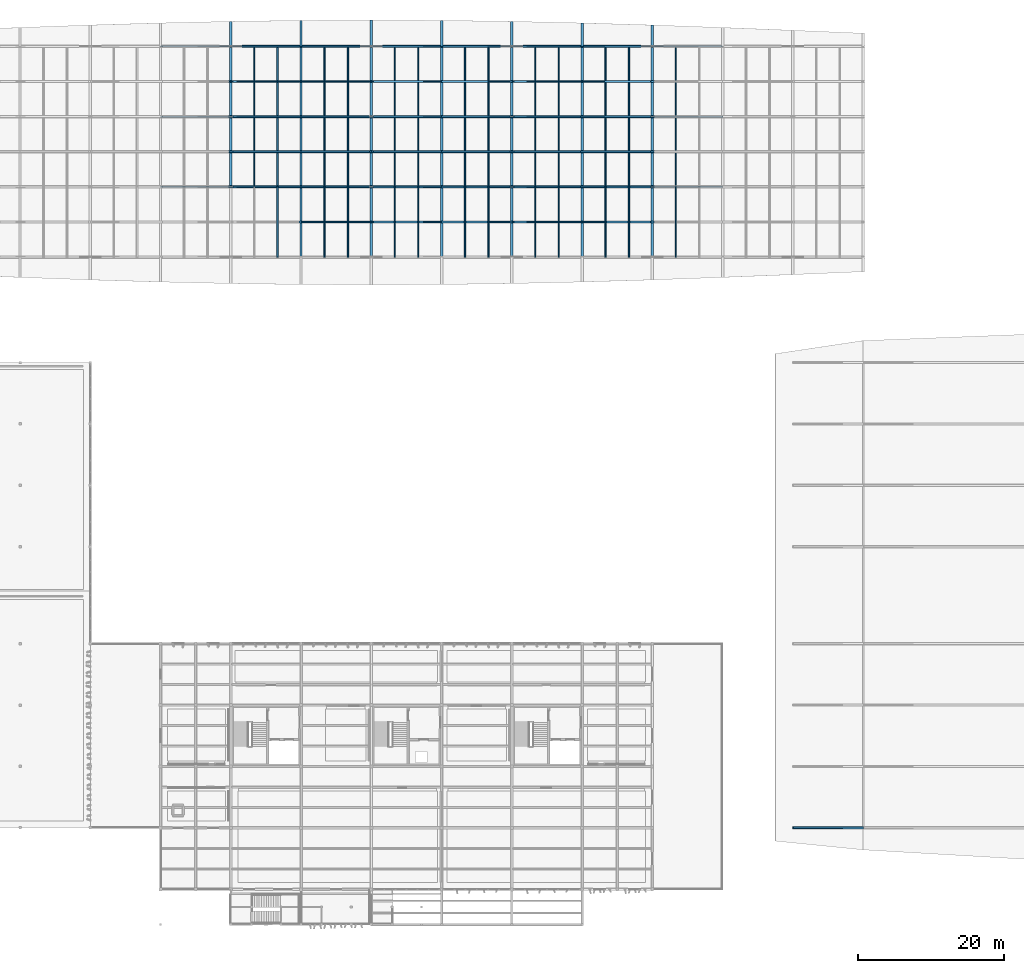
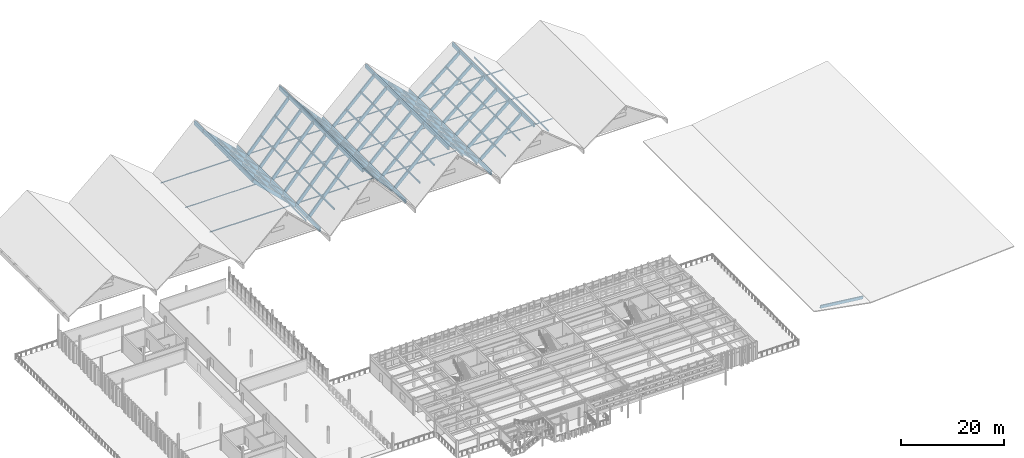
# One storey, part 16 of 42: 93 members.
"""IFC4 building model written with IfcOpenShell, lengths in metres."""

from ifc_helpers import new_model, si_unit, direction, frame, origin, origin_2d, place, context, subcontext, project, spatial, rectangle, hollow_circle, extrude, material, material_profile, profile_set, type_object, element, save


model = new_model("IFC4")

# Units and contexts
model_context = context("Model", 3, precision=1e-05, world=origin(), true_north=direction((0.0, 1.0)))
body_context = subcontext(model_context, "Body", "Model", "MODEL_VIEW")
ifc_project = project(units=[si_unit("LENGTHUNIT", "METRE"), si_unit("AREAUNIT", "SQUARE_METRE"), si_unit("VOLUMEUNIT", "CUBIC_METRE"), si_unit("PLANEANGLEUNIT", "RADIAN"), si_unit("MASSUNIT", "GRAM", prefix="KILO")], contexts=[model_context])

# Site, building, storey
site_placement = place(None, origin())
site = spatial("IfcSite", under=ifc_project, at=site_placement, CompositionType="ELEMENT")
building_placement = place(site_placement, origin())
building = spatial("IfcBuilding", under=site, at=building_placement, Name="Kolvemor Railside Polytechnic", CompositionType="ELEMENT")
storey_placement = place(building_placement, frame((0.0, 0.0, 14.39990234375)))
storey = spatial("IfcBuildingStorey", under=building, at=storey_placement, Name="L03", CompositionType="ELEMENT", Elevation=14.39990234375)

# Members
ifc_material_1 = material(Name="Glulam GL28h", Category="wood")
ifc_material_profile_1 = material_profile(ifc_material_1, rectangle(XDim=0.31494140625, YDim=0.89990234375, at=origin_2d()), Name="GL315x900")
ifc_profile_set_1 = profile_set([ifc_material_profile_1], Name="Glulam GL28h")
member_type_1 = type_object("IfcMemberType", Name="MEM-FP-CHORD", PredefinedType="CHORD", material=ifc_profile_set_1)
member_1_placement = place(storey_placement, frame((76.800048828125, 91.199951171875, -4.96875), z_axis=(0.0, 1.0, 0.0), x_axis=(-1.0, 0.0, 0.0)))
element("IfcMember", 1, at=member_1_placement, inside=storey, type_object=member_type_1, Name="Folded-Plate Valley Chord CH-V4-2", PredefinedType="CHORD", context=body_context, shape_type="SweptSolid", body=[
    extrude(rectangle(XDim=0.31494140625, YDim=0.89990234375, at=origin_2d()), origin(), (0.0, 0.0, 1.0), 9.60009765625),
])
member_2_placement = place(storey_placement, frame((76.800048828125, 100.800048828125, -4.96875), z_axis=(0.0, 1.0, 0.0), x_axis=(-1.0, 0.0, 0.0)))
element("IfcMember", 2, at=member_2_placement, inside=storey, type_object=member_type_1, Name="Folded-Plate Valley Chord CH-V4-3", PredefinedType="CHORD", context=body_context, shape_type="SweptSolid", body=[
    extrude(rectangle(XDim=0.31494140625, YDim=0.89990234375, at=origin_2d()), origin(), (0.0, 0.0, 1.0), 19.199951171875),
])
member_3_placement = place(storey_placement, frame((76.800048828125, 120.0, -4.96875), z_axis=(0.0, 1.0, 0.0), x_axis=(-1.0, 0.0, 0.0)))
element("IfcMember", 3, at=member_3_placement, inside=storey, type_object=member_type_1, Name="Folded-Plate Valley Chord CH-V4-4", PredefinedType="CHORD", context=body_context, shape_type="SweptSolid", body=[
    extrude(rectangle(XDim=0.31494140625, YDim=0.89990234375, at=origin_2d()), origin(), (0.0, 0.0, 1.0), 3.554931640625),
])
member_4_placement = place(storey_placement, frame((96.0, 91.199951171875, -4.96875), z_axis=(0.0, 1.0, 0.0), x_axis=(-1.0, 0.0, 0.0)))
element("IfcMember", 4, at=member_4_placement, inside=storey, type_object=member_type_1, Name="Folded-Plate Valley Chord CH-V5-2", PredefinedType="CHORD", context=body_context, shape_type="SweptSolid", body=[
    extrude(rectangle(XDim=0.31494140625, YDim=0.89990234375, at=origin_2d()), origin(), (0.0, 0.0, 1.0), 9.60009765625),
])
member_5_placement = place(storey_placement, frame((96.0, 100.800048828125, -4.96875), z_axis=(0.0, 1.0, 0.0), x_axis=(-1.0, 0.0, 0.0)))
element("IfcMember", 5, at=member_5_placement, inside=storey, type_object=member_type_1, Name="Folded-Plate Valley Chord CH-V5-3", PredefinedType="CHORD", context=body_context, shape_type="SweptSolid", body=[
    extrude(rectangle(XDim=0.31494140625, YDim=0.89990234375, at=origin_2d()), origin(), (0.0, 0.0, 1.0), 19.199951171875),
])
member_6_placement = place(storey_placement, frame((96.0, 120.0, -4.96875), z_axis=(0.0, 1.0, 0.0), x_axis=(-1.0, 0.0, 0.0)))
element("IfcMember", 6, at=member_6_placement, inside=storey, type_object=member_type_1, Name="Folded-Plate Valley Chord CH-V5-4", PredefinedType="CHORD", context=body_context, shape_type="SweptSolid", body=[
    extrude(rectangle(XDim=0.31494140625, YDim=0.89990234375, at=origin_2d()), origin(), (0.0, 0.0, 1.0), 3.554931640625),
])
member_7_placement = place(storey_placement, frame((115.199951171875, 91.199951171875, -4.96875), z_axis=(0.0, 1.0, 0.0), x_axis=(-1.0, 0.0, 0.0)))
element("IfcMember", 7, at=member_7_placement, inside=storey, type_object=member_type_1, Name="Folded-Plate Valley Chord CH-V6-2", PredefinedType="CHORD", context=body_context, shape_type="SweptSolid", body=[
    extrude(rectangle(XDim=0.31494140625, YDim=0.89990234375, at=origin_2d()), origin(), (0.0, 0.0, 1.0), 9.60009765625),
])
member_8_placement = place(storey_placement, frame((115.199951171875, 100.800048828125, -4.96875), z_axis=(0.0, 1.0, 0.0), x_axis=(-1.0, 0.0, 0.0)))
element("IfcMember", 8, at=member_8_placement, inside=storey, type_object=member_type_1, Name="Folded-Plate Valley Chord CH-V6-3", PredefinedType="CHORD", context=body_context, shape_type="SweptSolid", body=[
    extrude(rectangle(XDim=0.31494140625, YDim=0.89990234375, at=origin_2d()), origin(), (0.0, 0.0, 1.0), 19.199951171875),
])
member_9_placement = place(storey_placement, frame((115.199951171875, 120.0, -4.96875), z_axis=(0.0, 1.0, 0.0), x_axis=(-1.0, 0.0, 0.0)))
element("IfcMember", 9, at=member_9_placement, inside=storey, type_object=member_type_1, Name="Folded-Plate Valley Chord CH-V6-4", PredefinedType="CHORD", context=body_context, shape_type="SweptSolid", body=[
    extrude(rectangle(XDim=0.31494140625, YDim=0.89990234375, at=origin_2d()), origin(), (0.0, 0.0, 1.0), 3.20703125),
])
member_10_placement = place(storey_placement, frame((67.199951171875, 100.800048828125, 4.31591796875), z_axis=(0.0, 1.0, 0.0), x_axis=(-1.0, 0.0, 0.0)))
element("IfcMember", 10, at=member_10_placement, inside=storey, type_object=member_type_1, Name="Folded-Plate Ridge Chord CH-R3-3", PredefinedType="CHORD", context=body_context, shape_type="SweptSolid", body=[
    extrude(rectangle(XDim=0.31494140625, YDim=0.89990234375, at=origin_2d()), origin(), (0.0, 0.0, 1.0), 19.199951171875),
])
member_11_placement = place(storey_placement, frame((67.199951171875, 120.0, 4.31591796875), z_axis=(0.0, 1.0, 0.0), x_axis=(-1.0, 0.0, 0.0)))
element("IfcMember", 11, at=member_11_placement, inside=storey, type_object=member_type_1, Name="Folded-Plate Ridge Chord CH-R3-4", PredefinedType="CHORD", context=body_context, shape_type="SweptSolid", body=[
    extrude(rectangle(XDim=0.31494140625, YDim=0.89990234375, at=origin_2d()), origin(), (0.0, 0.0, 1.0), 3.422119140625),
])
member_12_placement = place(storey_placement, frame((86.39990234375, 91.199951171875, 5.788818359375), z_axis=(0.0, 1.0, 0.0), x_axis=(-1.0, 0.0, 0.0)))
element("IfcMember", 12, at=member_12_placement, inside=storey, type_object=member_type_1, Name="Folded-Plate Ridge Chord CH-R4-2", PredefinedType="CHORD", context=body_context, shape_type="SweptSolid", body=[
    extrude(rectangle(XDim=0.31494140625, YDim=0.89990234375, at=origin_2d()), origin(), (0.0, 0.0, 1.0), 9.60009765625),
])
member_13_placement = place(storey_placement, frame((86.39990234375, 100.800048828125, 5.788818359375), z_axis=(0.0, 1.0, 0.0), x_axis=(-1.0, 0.0, 0.0)))
element("IfcMember", 13, at=member_13_placement, inside=storey, type_object=member_type_1, Name="Folded-Plate Ridge Chord CH-R4-3", PredefinedType="CHORD", context=body_context, shape_type="SweptSolid", body=[
    extrude(rectangle(XDim=0.31494140625, YDim=0.89990234375, at=origin_2d()), origin(), (0.0, 0.0, 1.0), 19.199951171875),
])
member_14_placement = place(storey_placement, frame((86.39990234375, 120.0, 5.788818359375), z_axis=(0.0, 1.0, 0.0), x_axis=(-1.0, 0.0, 0.0)))
element("IfcMember", 14, at=member_14_placement, inside=storey, type_object=member_type_1, Name="Folded-Plate Ridge Chord CH-R4-4", PredefinedType="CHORD", context=body_context, shape_type="SweptSolid", body=[
    extrude(rectangle(XDim=0.31494140625, YDim=0.89990234375, at=origin_2d()), origin(), (0.0, 0.0, 1.0), 3.60009765625),
])
member_15_placement = place(storey_placement, frame((105.60009765625, 91.199951171875, 4.31591796875), z_axis=(0.0, 1.0, 0.0), x_axis=(-1.0, 0.0, 0.0)))
element("IfcMember", 15, at=member_15_placement, inside=storey, type_object=member_type_1, Name="Folded-Plate Ridge Chord CH-R5-2", PredefinedType="CHORD", context=body_context, shape_type="SweptSolid", body=[
    extrude(rectangle(XDim=0.31494140625, YDim=0.89990234375, at=origin_2d()), origin(), (0.0, 0.0, 1.0), 9.60009765625),
])
member_16_placement = place(storey_placement, frame((105.60009765625, 100.800048828125, 4.31591796875), z_axis=(0.0, 1.0, 0.0), x_axis=(-1.0, 0.0, 0.0)))
element("IfcMember", 16, at=member_16_placement, inside=storey, type_object=member_type_1, Name="Folded-Plate Ridge Chord CH-R5-3", PredefinedType="CHORD", context=body_context, shape_type="SweptSolid", body=[
    extrude(rectangle(XDim=0.31494140625, YDim=0.89990234375, at=origin_2d()), origin(), (0.0, 0.0, 1.0), 19.199951171875),
])
member_17_placement = place(storey_placement, frame((105.60009765625, 120.0, 4.31591796875), z_axis=(0.0, 1.0, 0.0), x_axis=(-1.0, 0.0, 0.0)))
element("IfcMember", 17, at=member_17_placement, inside=storey, type_object=member_type_1, Name="Folded-Plate Ridge Chord CH-R5-4", PredefinedType="CHORD", context=body_context, shape_type="SweptSolid", body=[
    extrude(rectangle(XDim=0.31494140625, YDim=0.89990234375, at=origin_2d()), origin(), (0.0, 0.0, 1.0), 3.422119140625),
])
member_18_placement = place(storey_placement, frame((124.800048828125, 91.199951171875, 3.03759765625), z_axis=(0.0, 1.0, 0.0), x_axis=(-1.0, 0.0, 0.0)))
element("IfcMember", 18, at=member_18_placement, inside=storey, type_object=member_type_1, Name="Folded-Plate Ridge Chord CH-R6-2", PredefinedType="CHORD", context=body_context, shape_type="SweptSolid", body=[
    extrude(rectangle(XDim=0.31494140625, YDim=0.89990234375, at=origin_2d()), origin(), (0.0, 0.0, 1.0), 9.60009765625),
])
member_19_placement = place(storey_placement, frame((124.800048828125, 100.800048828125, 3.03759765625), z_axis=(0.0, 1.0, 0.0), x_axis=(-1.0, 0.0, 0.0)))
element("IfcMember", 19, at=member_19_placement, inside=storey, type_object=member_type_1, Name="Folded-Plate Ridge Chord CH-R6-3", PredefinedType="CHORD", context=body_context, shape_type="SweptSolid", body=[
    extrude(rectangle(XDim=0.31494140625, YDim=0.89990234375, at=origin_2d()), origin(), (0.0, 0.0, 1.0), 19.199951171875),
])
member_20_placement = place(storey_placement, frame((124.800048828125, 120.0, 3.03759765625), z_axis=(0.0, 1.0, 0.0), x_axis=(-1.0, 0.0, 0.0)))
element("IfcMember", 20, at=member_20_placement, inside=storey, type_object=member_type_1, Name="Folded-Plate Ridge Chord CH-R6-4", PredefinedType="CHORD", context=body_context, shape_type="SweptSolid", body=[
    extrude(rectangle(XDim=0.31494140625, YDim=0.89990234375, at=origin_2d()), origin(), (0.0, 0.0, 1.0), 2.922119140625),
])
ifc_material_2 = material(Name="Glulam GL28h", Category="wood")
ifc_material_profile_2 = material_profile(ifc_material_2, rectangle(XDim=0.18505859375, YDim=0.360107421875, at=origin_2d()), Name="GL185x360")
ifc_profile_set_2 = profile_set([ifc_material_profile_2], Name="Glulam GL28h")
member_type_2 = type_object("IfcMemberType", Name="MEM-FP-PURLIN", PredefinedType="PURLIN", material=ifc_profile_set_2)
member_21_placement = place(storey_placement, frame((73.60009765625, 91.199951171875, -1.684814453125), z_axis=(0.0, 1.0, 0.0), x_axis=(-1.0, 0.0, 0.0)))
element("IfcMember", 21, at=member_21_placement, inside=storey, type_object=member_type_2, Name="Folded-Plate Purlin PR-E3-1", PredefinedType="PURLIN", context=body_context, shape_type="SweptSolid", body=[
    extrude(rectangle(XDim=0.18505859375, YDim=0.360107421875, at=origin_2d()), origin(), (0.0, 0.0, 1.0), 9.60009765625),
])
for number, where, z_axis, x_axis, name in (
    (22, (73.60009765625, 100.800048828125, -1.684814453125), (0.0, 1.0, 0.0), (-1.0, 0.0, 0.0), "Folded-Plate Purlin PR-E3-1"),
    (23, (70.39990234375, 100.800048828125, 1.415283203125), (0.0, 1.0, 0.0), (-1.0, 0.0, 0.0), "Folded-Plate Purlin PR-E3-2"),
):
    element("IfcMember", number, at=place(storey_placement, frame(where, z_axis=z_axis, x_axis=x_axis)), inside=storey, type_object=member_type_2, Name=name, PredefinedType="PURLIN", context=body_context, shape_type="SweptSolid", body=[
        extrude(rectangle(XDim=0.18505859375, YDim=0.360107421875, at=origin_2d()), origin(), (0.0, 0.0, 1.0), 19.199951171875),
    ])
for number, where, z_axis, x_axis, name in (
    (24, (80.0, 91.199951171875, -1.232177734375), (0.0, 1.0, 0.0), (-1.0, 0.0, 0.0), "Folded-Plate Purlin PR-W4-1"),
    (25, (92.800048828125, 91.199951171875, -1.232177734375), (0.0, 1.0, 0.0), (-1.0, 0.0, 0.0), "Folded-Plate Purlin PR-E4-1"),
):
    element("IfcMember", number, at=place(storey_placement, frame(where, z_axis=z_axis, x_axis=x_axis)), inside=storey, type_object=member_type_2, Name=name, PredefinedType="PURLIN", context=body_context, shape_type="SweptSolid", body=[
        extrude(rectangle(XDim=0.18505859375, YDim=0.360107421875, at=origin_2d()), origin(), (0.0, 0.0, 1.0), 9.60009765625),
    ])
for number, where, z_axis, x_axis, name in (
    (26, (80.0, 100.800048828125, -1.232177734375), (0.0, 1.0, 0.0), (-1.0, 0.0, 0.0), "Folded-Plate Purlin PR-W4-1"),
    (27, (92.800048828125, 100.800048828125, -1.232177734375), (0.0, 1.0, 0.0), (-1.0, 0.0, 0.0), "Folded-Plate Purlin PR-E4-1"),
):
    element("IfcMember", number, at=place(storey_placement, frame(where, z_axis=z_axis, x_axis=x_axis)), inside=storey, type_object=member_type_2, Name=name, PredefinedType="PURLIN", context=body_context, shape_type="SweptSolid", body=[
        extrude(rectangle(XDim=0.18505859375, YDim=0.360107421875, at=origin_2d()), origin(), (0.0, 0.0, 1.0), 19.199951171875),
    ])
for number, where, z_axis, x_axis, name in (
    (28, (83.199951171875, 91.199951171875, 2.367919921875), (0.0, 1.0, 0.0), (-1.0, 0.0, 0.0), "Folded-Plate Purlin PR-W4-2"),
    (29, (89.60009765625, 91.199951171875, 2.367919921875), (0.0, 1.0, 0.0), (-1.0, 0.0, 0.0), "Folded-Plate Purlin PR-E4-2"),
):
    element("IfcMember", number, at=place(storey_placement, frame(where, z_axis=z_axis, x_axis=x_axis)), inside=storey, type_object=member_type_2, Name=name, PredefinedType="PURLIN", context=body_context, shape_type="SweptSolid", body=[
        extrude(rectangle(XDim=0.18505859375, YDim=0.360107421875, at=origin_2d()), origin(), (0.0, 0.0, 1.0), 9.60009765625),
    ])
for number, where, z_axis, x_axis, name in (
    (30, (83.199951171875, 100.800048828125, 2.367919921875), (0.0, 1.0, 0.0), (-1.0, 0.0, 0.0), "Folded-Plate Purlin PR-W4-2"),
    (31, (89.60009765625, 100.800048828125, 2.367919921875), (0.0, 1.0, 0.0), (-1.0, 0.0, 0.0), "Folded-Plate Purlin PR-E4-2"),
):
    element("IfcMember", number, at=place(storey_placement, frame(where, z_axis=z_axis, x_axis=x_axis)), inside=storey, type_object=member_type_2, Name=name, PredefinedType="PURLIN", context=body_context, shape_type="SweptSolid", body=[
        extrude(rectangle(XDim=0.18505859375, YDim=0.360107421875, at=origin_2d()), origin(), (0.0, 0.0, 1.0), 19.199951171875),
    ])
for number, where, z_axis, x_axis, name in (
    (32, (99.199951171875, 91.199951171875, -1.684814453125), (0.0, 1.0, 0.0), (-1.0, 0.0, 0.0), "Folded-Plate Purlin PR-W5-1"),
    (33, (112.0, 91.199951171875, -1.684814453125), (0.0, 1.0, 0.0), (-1.0, 0.0, 0.0), "Folded-Plate Purlin PR-E5-1"),
):
    element("IfcMember", number, at=place(storey_placement, frame(where, z_axis=z_axis, x_axis=x_axis)), inside=storey, type_object=member_type_2, Name=name, PredefinedType="PURLIN", context=body_context, shape_type="SweptSolid", body=[
        extrude(rectangle(XDim=0.18505859375, YDim=0.360107421875, at=origin_2d()), origin(), (0.0, 0.0, 1.0), 9.60009765625),
    ])
for number, where, z_axis, x_axis, name in (
    (34, (99.199951171875, 100.800048828125, -1.684814453125), (0.0, 1.0, 0.0), (-1.0, 0.0, 0.0), "Folded-Plate Purlin PR-W5-1"),
    (35, (112.0, 100.800048828125, -1.684814453125), (0.0, 1.0, 0.0), (-1.0, 0.0, 0.0), "Folded-Plate Purlin PR-E5-1"),
):
    element("IfcMember", number, at=place(storey_placement, frame(where, z_axis=z_axis, x_axis=x_axis)), inside=storey, type_object=member_type_2, Name=name, PredefinedType="PURLIN", context=body_context, shape_type="SweptSolid", body=[
        extrude(rectangle(XDim=0.18505859375, YDim=0.360107421875, at=origin_2d()), origin(), (0.0, 0.0, 1.0), 19.199951171875),
    ])
for number, where, z_axis, x_axis, name in (
    (36, (102.39990234375, 91.199951171875, 1.415283203125), (0.0, 1.0, 0.0), (-1.0, 0.0, 0.0), "Folded-Plate Purlin PR-W5-2"),
    (37, (108.800048828125, 91.199951171875, 1.415283203125), (0.0, 1.0, 0.0), (-1.0, 0.0, 0.0), "Folded-Plate Purlin PR-E5-2"),
):
    element("IfcMember", number, at=place(storey_placement, frame(where, z_axis=z_axis, x_axis=x_axis)), inside=storey, type_object=member_type_2, Name=name, PredefinedType="PURLIN", context=body_context, shape_type="SweptSolid", body=[
        extrude(rectangle(XDim=0.18505859375, YDim=0.360107421875, at=origin_2d()), origin(), (0.0, 0.0, 1.0), 9.60009765625),
    ])
for number, where, z_axis, x_axis, name in (
    (38, (102.39990234375, 100.800048828125, 1.415283203125), (0.0, 1.0, 0.0), (-1.0, 0.0, 0.0), "Folded-Plate Purlin PR-W5-2"),
    (39, (108.800048828125, 100.800048828125, 1.415283203125), (0.0, 1.0, 0.0), (-1.0, 0.0, 0.0), "Folded-Plate Purlin PR-E5-2"),
):
    element("IfcMember", number, at=place(storey_placement, frame(where, z_axis=z_axis, x_axis=x_axis)), inside=storey, type_object=member_type_2, Name=name, PredefinedType="PURLIN", context=body_context, shape_type="SweptSolid", body=[
        extrude(rectangle(XDim=0.18505859375, YDim=0.360107421875, at=origin_2d()), origin(), (0.0, 0.0, 1.0), 19.199951171875),
    ])
member_22_placement = place(storey_placement, frame((118.39990234375, 91.199951171875, -2.080078125), z_axis=(0.0, 1.0, 0.0), x_axis=(-1.0, 0.0, 0.0)))
element("IfcMember", 40, at=member_22_placement, inside=storey, type_object=member_type_2, Name="Folded-Plate Purlin PR-W6-1", PredefinedType="PURLIN", context=body_context, shape_type="SweptSolid", body=[
    extrude(rectangle(XDim=0.18505859375, YDim=0.360107421875, at=origin_2d()), origin(), (0.0, 0.0, 1.0), 9.60009765625),
])
member_23_placement = place(storey_placement, frame((118.39990234375, 100.800048828125, -2.080078125), z_axis=(0.0, 1.0, 0.0), x_axis=(-1.0, 0.0, 0.0)))
element("IfcMember", 41, at=member_23_placement, inside=storey, type_object=member_type_2, Name="Folded-Plate Purlin PR-W6-1", PredefinedType="PURLIN", context=body_context, shape_type="SweptSolid", body=[
    extrude(rectangle(XDim=0.18505859375, YDim=0.360107421875, at=origin_2d()), origin(), (0.0, 0.0, 1.0), 19.199951171875),
])
for number, where, z_axis, x_axis, name in (
    (42, (121.60009765625, 91.199951171875, 0.586669921875), (0.0, 1.0, 0.0), (-1.0, 0.0, 0.0), "Folded-Plate Purlin PR-W6-2"),
    (43, (128.0, 91.199951171875, 0.586669921875), (0.0, 1.0, 0.0), (-1.0, 0.0, 0.0), "Folded-Plate Purlin PR-E6-2"),
):
    element("IfcMember", number, at=place(storey_placement, frame(where, z_axis=z_axis, x_axis=x_axis)), inside=storey, type_object=member_type_2, Name=name, PredefinedType="PURLIN", context=body_context, shape_type="SweptSolid", body=[
        extrude(rectangle(XDim=0.18505859375, YDim=0.360107421875, at=origin_2d()), origin(), (0.0, 0.0, 1.0), 9.60009765625),
    ])
for number, where, z_axis, x_axis, name in (
    (44, (121.60009765625, 100.800048828125, 0.586669921875), (0.0, 1.0, 0.0), (-1.0, 0.0, 0.0), "Folded-Plate Purlin PR-W6-2"),
    (45, (128.0, 100.800048828125, 0.586669921875), (0.0, 1.0, 0.0), (-1.0, 0.0, 0.0), "Folded-Plate Purlin PR-E6-2"),
):
    element("IfcMember", number, at=place(storey_placement, frame(where, z_axis=z_axis, x_axis=x_axis)), inside=storey, type_object=member_type_2, Name=name, PredefinedType="PURLIN", context=body_context, shape_type="SweptSolid", body=[
        extrude(rectangle(XDim=0.18505859375, YDim=0.360107421875, at=origin_2d()), origin(), (0.0, 0.0, 1.0), 19.199951171875),
    ])
ifc_material_3 = material(Name="Glulam GL28h", Category="wood")
ifc_material_profile_3 = material_profile(ifc_material_3, rectangle(XDim=0.264892578125, YDim=0.760009765625, at=origin_2d()), Name="GL265x760")
ifc_profile_set_3 = profile_set([ifc_material_profile_3], Name="Glulam GL28h")
member_type_3 = type_object("IfcMemberType", Name="MEM-FP-RAFTER", PredefinedType="RAFTER", material=ifc_profile_set_3)
for number, where, z_axis, x_axis, name in (
    (46, (67.199951171875, 100.800048828125, 4.23681640625), (0.718251062607, 0.0, -0.695784026164), (0.0, 1.0, 0.0), "Folded-Plate East Rafter RF-E3-3"),
    (47, (67.199951171875, 105.60009765625, 4.23681640625), (0.718251062607, 0.0, -0.695784026164), (0.0, 1.0, 0.0), "Folded-Plate East Rafter RF-E3-4"),
    (48, (67.199951171875, 110.39990234375, 4.23681640625), (0.718251062607, 0.0, -0.695784026164), (0.0, 1.0, 0.0), "Folded-Plate East Rafter RF-E3-5"),
    (49, (67.199951171875, 115.199951171875, 4.23681640625), (0.718251062607, 0.0, -0.695784026164), (0.0, 1.0, 0.0), "Folded-Plate East Rafter RF-E3-6"),
    (50, (67.199951171875, 120.0, 4.23681640625), (0.718251062607, 0.0, -0.695784026164), (0.0, 1.0, 0.0), "Folded-Plate East Rafter RF-E3-7"),
):
    element("IfcMember", number, at=place(storey_placement, frame(where, z_axis=z_axis, x_axis=x_axis)), inside=storey, type_object=member_type_3, Name=name, PredefinedType="RAFTER", context=body_context, shape_type="SweptSolid", body=[
        extrude(rectangle(XDim=0.264892578125, YDim=0.760009765625, at=origin_2d()), origin(), (0.0, 0.0, 1.0), 13.365966796875),
    ])
for number, where, z_axis, x_axis, name in (
    (51, (76.800048828125, 96.0, -5.133056640625), (0.6643564979, 0.0, 0.74741584389), (0.0, 1.0, 0.0), "Folded-Plate West Rafter RF-W4-2"),
    (52, (86.39990234375, 96.0, 5.6669921875), (0.664365936203, 0.0, -0.747407454347), (0.0, 1.0, 0.0), "Folded-Plate East Rafter RF-E4-2"),
    (53, (76.800048828125, 100.800048828125, -5.133056640625), (0.6643564979, 0.0, 0.74741584389), (0.0, 1.0, 0.0), "Folded-Plate West Rafter RF-W4-3"),
    (54, (86.39990234375, 100.800048828125, 5.6669921875), (0.664365936203, 0.0, -0.747407454347), (0.0, 1.0, 0.0), "Folded-Plate East Rafter RF-E4-3"),
    (55, (76.800048828125, 105.60009765625, -5.133056640625), (0.6643564979, 0.0, 0.74741584389), (0.0, 1.0, 0.0), "Folded-Plate West Rafter RF-W4-4"),
    (56, (86.39990234375, 105.60009765625, 5.6669921875), (0.664365936203, 0.0, -0.747407454347), (0.0, 1.0, 0.0), "Folded-Plate East Rafter RF-E4-4"),
    (57, (76.800048828125, 110.39990234375, -5.133056640625), (0.6643564979, 0.0, 0.74741584389), (0.0, 1.0, 0.0), "Folded-Plate West Rafter RF-W4-5"),
    (58, (86.39990234375, 110.39990234375, 5.6669921875), (0.664365936203, 0.0, -0.747407454347), (0.0, 1.0, 0.0), "Folded-Plate East Rafter RF-E4-5"),
    (59, (76.800048828125, 115.199951171875, -5.133056640625), (0.6643564979, 0.0, 0.74741584389), (0.0, 1.0, 0.0), "Folded-Plate West Rafter RF-W4-6"),
    (60, (86.39990234375, 115.199951171875, 5.6669921875), (0.664365936203, 0.0, -0.747407454347), (0.0, 1.0, 0.0), "Folded-Plate East Rafter RF-E4-6"),
    (61, (76.800048828125, 120.0, -5.133056640625), (0.6643564979, 0.0, 0.74741584389), (0.0, 1.0, 0.0), "Folded-Plate West Rafter RF-W4-7"),
    (62, (86.39990234375, 120.0, 5.6669921875), (0.664365936203, 0.0, -0.747407454347), (0.0, 1.0, 0.0), "Folded-Plate East Rafter RF-E4-7"),
):
    element("IfcMember", number, at=place(storey_placement, frame(where, z_axis=z_axis, x_axis=x_axis)), inside=storey, type_object=member_type_3, Name=name, PredefinedType="RAFTER", context=body_context, shape_type="SweptSolid", body=[
        extrude(rectangle(XDim=0.264892578125, YDim=0.760009765625, at=origin_2d()), origin(), (0.0, 0.0, 1.0), 14.449951171875),
    ])
member_24_placement = place(storey_placement, frame((96.0, 96.0, -5.06298828125), z_axis=(0.718251062607, 0.0, 0.695784026164), x_axis=(0.0, 1.0, 0.0)))
element("IfcMember", 63, at=member_24_placement, inside=storey, type_object=member_type_3, Name="Folded-Plate West Rafter RF-W5-2", PredefinedType="RAFTER", context=body_context, shape_type="SweptSolid", body=[
    extrude(rectangle(XDim=0.264892578125, YDim=0.760009765625, at=origin_2d()), origin(), (0.0, 0.0, 1.0), 13.365966796875),
])
member_25_placement = place(storey_placement, frame((105.60009765625, 96.0, 4.23681640625), z_axis=(0.718242219637, 0.0, -0.695793154559), x_axis=(0.0, 1.0, 0.0)))
element("IfcMember", 64, at=member_25_placement, inside=storey, type_object=member_type_3, Name="Folded-Plate East Rafter RF-E5-2", PredefinedType="RAFTER", context=body_context, shape_type="SweptSolid", body=[
    extrude(rectangle(XDim=0.264892578125, YDim=0.760009765625, at=origin_2d()), origin(), (0.0, 0.0, 1.0), 13.36572265625),
])
member_26_placement = place(storey_placement, frame((96.0, 100.800048828125, -5.06298828125), z_axis=(0.718251062607, 0.0, 0.695784026164), x_axis=(0.0, 1.0, 0.0)))
element("IfcMember", 65, at=member_26_placement, inside=storey, type_object=member_type_3, Name="Folded-Plate West Rafter RF-W5-3", PredefinedType="RAFTER", context=body_context, shape_type="SweptSolid", body=[
    extrude(rectangle(XDim=0.264892578125, YDim=0.760009765625, at=origin_2d()), origin(), (0.0, 0.0, 1.0), 13.365966796875),
])
member_27_placement = place(storey_placement, frame((105.60009765625, 100.800048828125, 4.23681640625), z_axis=(0.718242219637, 0.0, -0.695793154559), x_axis=(0.0, 1.0, 0.0)))
element("IfcMember", 66, at=member_27_placement, inside=storey, type_object=member_type_3, Name="Folded-Plate East Rafter RF-E5-3", PredefinedType="RAFTER", context=body_context, shape_type="SweptSolid", body=[
    extrude(rectangle(XDim=0.264892578125, YDim=0.760009765625, at=origin_2d()), origin(), (0.0, 0.0, 1.0), 13.36572265625),
])
member_28_placement = place(storey_placement, frame((96.0, 105.60009765625, -5.06298828125), z_axis=(0.718251062607, 0.0, 0.695784026164), x_axis=(0.0, 1.0, 0.0)))
element("IfcMember", 67, at=member_28_placement, inside=storey, type_object=member_type_3, Name="Folded-Plate West Rafter RF-W5-4", PredefinedType="RAFTER", context=body_context, shape_type="SweptSolid", body=[
    extrude(rectangle(XDim=0.264892578125, YDim=0.760009765625, at=origin_2d()), origin(), (0.0, 0.0, 1.0), 13.365966796875),
])
member_29_placement = place(storey_placement, frame((105.60009765625, 105.60009765625, 4.23681640625), z_axis=(0.718242219637, 0.0, -0.695793154559), x_axis=(0.0, 1.0, 0.0)))
element("IfcMember", 68, at=member_29_placement, inside=storey, type_object=member_type_3, Name="Folded-Plate East Rafter RF-E5-4", PredefinedType="RAFTER", context=body_context, shape_type="SweptSolid", body=[
    extrude(rectangle(XDim=0.264892578125, YDim=0.760009765625, at=origin_2d()), origin(), (0.0, 0.0, 1.0), 13.36572265625),
])
member_30_placement = place(storey_placement, frame((96.0, 110.39990234375, -5.06298828125), z_axis=(0.718251062607, 0.0, 0.695784026164), x_axis=(0.0, 1.0, 0.0)))
element("IfcMember", 69, at=member_30_placement, inside=storey, type_object=member_type_3, Name="Folded-Plate West Rafter RF-W5-5", PredefinedType="RAFTER", context=body_context, shape_type="SweptSolid", body=[
    extrude(rectangle(XDim=0.264892578125, YDim=0.760009765625, at=origin_2d()), origin(), (0.0, 0.0, 1.0), 13.365966796875),
])
member_31_placement = place(storey_placement, frame((105.60009765625, 110.39990234375, 4.23681640625), z_axis=(0.718242219637, 0.0, -0.695793154559), x_axis=(0.0, 1.0, 0.0)))
element("IfcMember", 70, at=member_31_placement, inside=storey, type_object=member_type_3, Name="Folded-Plate East Rafter RF-E5-5", PredefinedType="RAFTER", context=body_context, shape_type="SweptSolid", body=[
    extrude(rectangle(XDim=0.264892578125, YDim=0.760009765625, at=origin_2d()), origin(), (0.0, 0.0, 1.0), 13.36572265625),
])
member_32_placement = place(storey_placement, frame((96.0, 115.199951171875, -5.06298828125), z_axis=(0.718251062607, 0.0, 0.695784026164), x_axis=(0.0, 1.0, 0.0)))
element("IfcMember", 71, at=member_32_placement, inside=storey, type_object=member_type_3, Name="Folded-Plate West Rafter RF-W5-6", PredefinedType="RAFTER", context=body_context, shape_type="SweptSolid", body=[
    extrude(rectangle(XDim=0.264892578125, YDim=0.760009765625, at=origin_2d()), origin(), (0.0, 0.0, 1.0), 13.365966796875),
])
member_33_placement = place(storey_placement, frame((105.60009765625, 115.199951171875, 4.23681640625), z_axis=(0.718242219637, 0.0, -0.695793154559), x_axis=(0.0, 1.0, 0.0)))
element("IfcMember", 72, at=member_33_placement, inside=storey, type_object=member_type_3, Name="Folded-Plate East Rafter RF-E5-6", PredefinedType="RAFTER", context=body_context, shape_type="SweptSolid", body=[
    extrude(rectangle(XDim=0.264892578125, YDim=0.760009765625, at=origin_2d()), origin(), (0.0, 0.0, 1.0), 13.36572265625),
])
member_34_placement = place(storey_placement, frame((96.0, 120.0, -5.06298828125), z_axis=(0.718251062607, 0.0, 0.695784026164), x_axis=(0.0, 1.0, 0.0)))
element("IfcMember", 73, at=member_34_placement, inside=storey, type_object=member_type_3, Name="Folded-Plate West Rafter RF-W5-7", PredefinedType="RAFTER", context=body_context, shape_type="SweptSolid", body=[
    extrude(rectangle(XDim=0.264892578125, YDim=0.760009765625, at=origin_2d()), origin(), (0.0, 0.0, 1.0), 13.365966796875),
])
member_35_placement = place(storey_placement, frame((105.60009765625, 120.0, 4.23681640625), z_axis=(0.718242219637, 0.0, -0.695793154559), x_axis=(0.0, 1.0, 0.0)))
element("IfcMember", 74, at=member_35_placement, inside=storey, type_object=member_type_3, Name="Folded-Plate East Rafter RF-E5-7", PredefinedType="RAFTER", context=body_context, shape_type="SweptSolid", body=[
    extrude(rectangle(XDim=0.264892578125, YDim=0.760009765625, at=origin_2d()), origin(), (0.0, 0.0, 1.0), 13.36572265625),
])
for number, where, z_axis, x_axis, name in (
    (75, (115.199951171875, 96.0, -5.007080078125), (0.768224482335, 0.0, 0.640180556359), (0.0, 1.0, 0.0), "Folded-Plate West Rafter RF-W6-2"),
    (76, (115.199951171875, 100.800048828125, -5.007080078125), (0.768224482335, 0.0, 0.640180556359), (0.0, 1.0, 0.0), "Folded-Plate West Rafter RF-W6-3"),
    (77, (115.199951171875, 105.60009765625, -5.007080078125), (0.768224482335, 0.0, 0.640180556359), (0.0, 1.0, 0.0), "Folded-Plate West Rafter RF-W6-4"),
    (78, (115.199951171875, 110.39990234375, -5.007080078125), (0.768224482335, 0.0, 0.640180556359), (0.0, 1.0, 0.0), "Folded-Plate West Rafter RF-W6-5"),
    (79, (115.199951171875, 115.199951171875, -5.007080078125), (0.768224482335, 0.0, 0.640180556359), (0.0, 1.0, 0.0), "Folded-Plate West Rafter RF-W6-6"),
    (80, (115.199951171875, 120.0, -5.007080078125), (0.768224482335, 0.0, 0.640180556359), (0.0, 1.0, 0.0), "Folded-Plate West Rafter RF-W6-7"),
):
    element("IfcMember", number, at=place(storey_placement, frame(where, z_axis=z_axis, x_axis=x_axis)), inside=storey, type_object=member_type_3, Name=name, PredefinedType="RAFTER", context=body_context, shape_type="SweptSolid", body=[
        extrude(rectangle(XDim=0.264892578125, YDim=0.760009765625, at=origin_2d()), origin(), (0.0, 0.0, 1.0), 12.49658203125),
    ])
ifc_material_4 = material(Name="Steel S355", Category="steel")
ifc_material_profile_4 = material_profile(ifc_material_4, hollow_circle(Radius=0.084228515625, WallThickness=0.008056640625, at=origin_2d()), Name="CHS168.3x8")
ifc_profile_set_4 = profile_set([ifc_material_profile_4], Name="Steel S355")
member_type_4 = type_object("IfcMemberType", Name="MEM-FP-TIE", PredefinedType="COLLAR", material=ifc_profile_set_4)
for number, where, z_axis, x_axis, name in (
    (81, (57.60009765625, 100.800048828125, -4.599853515625), (1.0, 0.0, 0.0), (0.0, 1.0, 0.0), "Folded-Plate Collar Tie CT-3-2"),
    (82, (57.60009765625, 120.0, -4.599853515625), (1.0, 0.0, 0.0), (0.0, 1.0, 0.0), "Folded-Plate Collar Tie CT-3-4"),
    (83, (76.800048828125, 100.800048828125, -4.599853515625), (1.0, 0.0, 0.0), (0.0, 1.0, 0.0), "Folded-Plate Collar Tie CT-4-2"),
    (84, (76.800048828125, 120.0, -4.599853515625), (1.0, 0.0, 0.0), (0.0, 1.0, 0.0), "Folded-Plate Collar Tie CT-4-4"),
    (85, (96.0, 100.800048828125, -4.599853515625), (1.0, 0.0, 0.0), (0.0, 1.0, 0.0), "Folded-Plate Collar Tie CT-5-2"),
    (86, (96.0, 120.0, -4.599853515625), (1.0, 0.0, 0.0), (0.0, 1.0, 0.0), "Folded-Plate Collar Tie CT-5-4"),
    (87, (115.199951171875, 100.800048828125, -4.599853515625), (1.0, 0.0, 0.0), (0.0, 1.0, 0.0), "Folded-Plate Collar Tie CT-6-2"),
    (88, (115.199951171875, 120.0, -4.599853515625), (1.0, 0.0, 0.0), (0.0, 1.0, 0.0), "Folded-Plate Collar Tie CT-6-4"),
):
    element("IfcMember", number, at=place(storey_placement, frame(where, z_axis=z_axis, x_axis=x_axis)), inside=storey, type_object=member_type_4, Name=name, PredefinedType="COLLAR", context=body_context, shape_type="SweptSolid", body=[
        extrude(hollow_circle(Radius=0.084228515625, WallThickness=0.008056640625, at=origin_2d()), origin(), (0.0, 0.0, 1.0), 19.199951171875),
    ])
ifc_material_5 = material(Name="Steel S355", Category="steel")
ifc_material_profile_5 = material_profile(ifc_material_5, hollow_circle(Radius=0.06982421875, WallThickness=0.008056640625, at=origin_2d()), Name="CHS139.7x8")
ifc_profile_set_5 = profile_set([ifc_material_profile_5], Name="Steel S355")
member_type_5 = type_object("IfcMemberType", Name="MEM-FP-TIE2", PredefinedType="COLLAR", material=ifc_profile_set_5)
for number, where, z_axis, x_axis, name in (
    (89, (57.60009765625, 110.39990234375, -4.599853515625), (1.0, 0.0, 0.0), (0.0, 1.0, 0.0), "Folded-Plate Collar Tie CT-3-3"),
    (90, (76.800048828125, 110.39990234375, -4.599853515625), (1.0, 0.0, 0.0), (0.0, 1.0, 0.0), "Folded-Plate Collar Tie CT-4-3"),
    (91, (96.0, 110.39990234375, -4.599853515625), (1.0, 0.0, 0.0), (0.0, 1.0, 0.0), "Folded-Plate Collar Tie CT-5-3"),
    (92, (115.199951171875, 110.39990234375, -4.599853515625), (1.0, 0.0, 0.0), (0.0, 1.0, 0.0), "Folded-Plate Collar Tie CT-6-3"),
):
    element("IfcMember", number, at=place(storey_placement, frame(where, z_axis=z_axis, x_axis=x_axis)), inside=storey, type_object=member_type_5, Name=name, PredefinedType="COLLAR", context=body_context, shape_type="SweptSolid", body=[
        extrude(hollow_circle(Radius=0.06982421875, WallThickness=0.008056640625, at=origin_2d()), origin(), (0.0, 0.0, 1.0), 19.199951171875),
    ])
ifc_material_6 = material(Name="Glulam GL28h", Category="wood")
ifc_material_profile_6 = material_profile(ifc_material_6, rectangle(XDim=0.264892578125, YDim=0.679931640625, at=origin_2d()), Name="GL265x680")
ifc_profile_set_6 = profile_set([ifc_material_profile_6], Name="Glulam GL28h")
member_type_6 = type_object("IfcMemberType", Name="MEM-WG-RAFTER", PredefinedType="RAFTER", material=ifc_profile_set_6)
member_36_placement = place(storey_placement, frame((144.0, 13.199951171875, 0.52001953125), z_axis=(0.993501118324, 0.0, -0.113822352323), x_axis=(0.0, 1.0, 0.0)))
element("IfcMember", 93, at=member_36_placement, inside=storey, type_object=member_type_6, Name="Refectory Wing Counter Rafter RF-V4W-13", PredefinedType="RAFTER", context=body_context, shape_type="SweptSolid", body=[
    extrude(rectangle(XDim=0.264892578125, YDim=0.679931640625, at=origin_2d()), origin(), (0.0, 0.0, 1.0), 9.662841796875),
])

save(model, "model.ifc")
